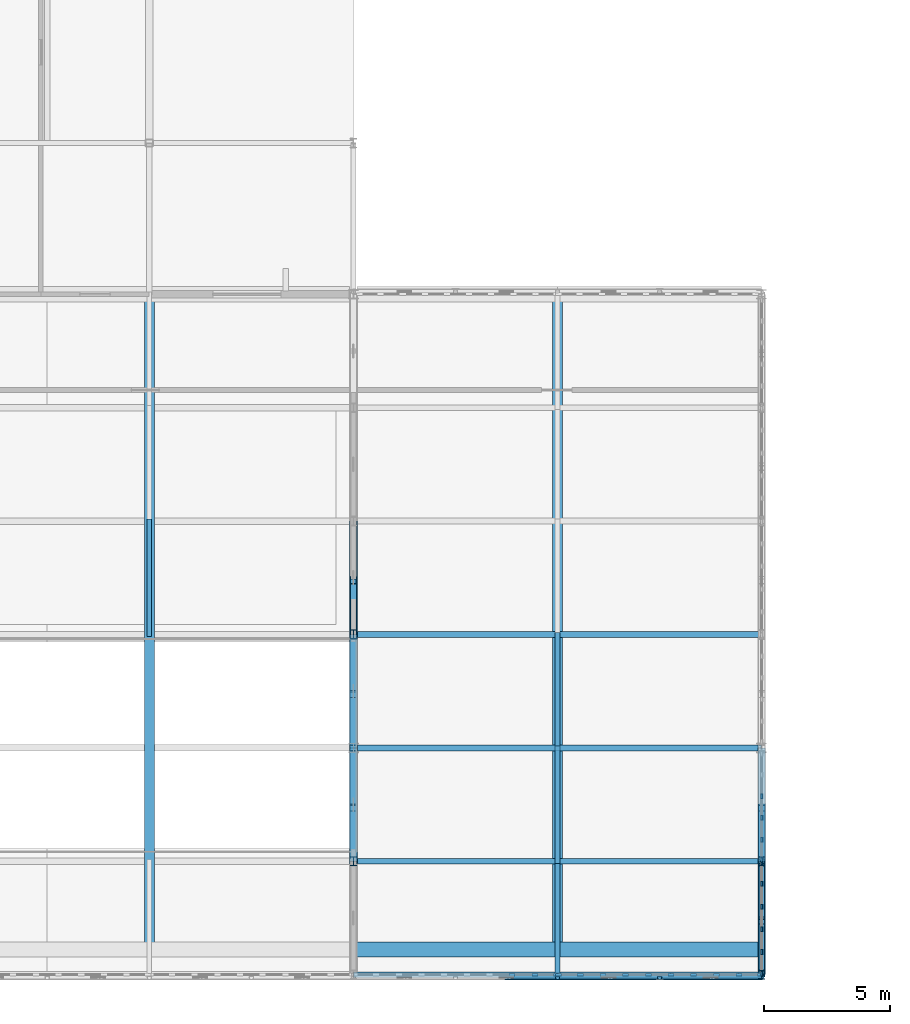
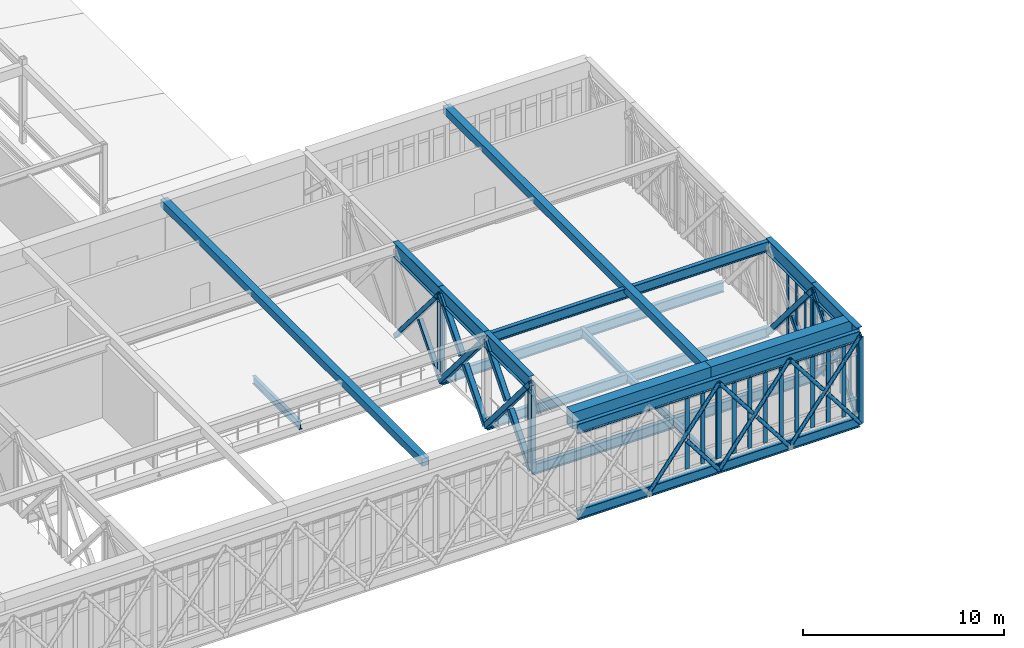
# One storey, part 16 of 70: 48 members, 19 beams, 4 elements without a shape of their own.
"""IFC4 building model written with IfcOpenShell, lengths in metres."""

from ifc_helpers import new_model, si_unit, direction, frame, origin, origin_2d, place, context, subcontext, project, spatial, rectangle, hollow_rectangle, hollow_circle, i_section, extrude, material, material_profile, profile_set, type_object, element, aggregate, save


model = new_model("IFC4")

# Units and contexts
model_context = context("Model", 3, precision=1e-05, world=origin(), true_north=direction((0.0, 1.0)))
body_context = subcontext(model_context, "Body", "Model", "MODEL_VIEW")
ifc_project = project(units=[si_unit("LENGTHUNIT", "METRE"), si_unit("AREAUNIT", "SQUARE_METRE"), si_unit("VOLUMEUNIT", "CUBIC_METRE"), si_unit("PLANEANGLEUNIT", "RADIAN"), si_unit("MASSUNIT", "GRAM", prefix="KILO")], contexts=[model_context])

# Site, building, storey
site_placement = place(None, origin())
site = spatial("IfcSite", under=ifc_project, at=site_placement, CompositionType="ELEMENT")
building_placement = place(site_placement, origin())
building = spatial("IfcBuilding", under=site, at=building_placement, Name="Tarnveldt Square Police Headquarters", CompositionType="ELEMENT")
storey_placement = place(building_placement, frame((0.0, 0.0, 19.800048828125)))
storey = spatial("IfcBuildingStorey", under=building, at=storey_placement, Name="L04", CompositionType="ELEMENT", Elevation=19.800048828125)

# Beams
ifc_material_1 = material(Name="Steel 350W", Category="steel")
ifc_material_profile_1 = material_profile(ifc_material_1, i_section(OverallWidth=0.305908203125, OverallDepth=0.9189453125, WebThickness=0.017333984375, FlangeThickness=0.02783203125, FilletRadius=0.02392578125, at=origin_2d()), Name="W920x253")
ifc_profile_set_1 = profile_set([ifc_material_profile_1], Name="Steel 350W")
beam_type_1 = type_object("IfcBeamType", Name="BM-CT-TOP", PredefinedType="BEAM", material=ifc_profile_set_1)
for number, where, z_axis, x_axis, name in (
    (1, (48.60009765625, 25.0, 4.640380859375), (0.0, -1.0, 0.0), (1.0, 0.0, 0.0), "Cantilever Truss CT-3 Top Chord 3"),
    (2, (48.60009765625, 20.5, 4.640380859375), (0.0, -1.0, 0.0), (1.0, 0.0, 0.0), "Cantilever Truss CT-3 Top Chord 4"),
    (3, (48.60009765625, 16.0, 4.640380859375), (0.0, -1.0, 0.0), (1.0, 0.0, 0.0), "Cantilever Truss CT-3 Top Chord 5"),
    (4, (64.800048828125, 16.0, 4.640380859375), (0.0, -1.0, 0.0), (1.0, 0.0, 0.0), "Cantilever Truss CT-4 Top Chord 5"),
    (5, (64.800048828125, 11.5, 4.640380859375), (0.0, -1.0, 0.0), (1.0, 0.0, 0.0), "Cantilever Truss CT-4 Top Chord 6"),
):
    element("IfcBeam", number, at=place(storey_placement, frame(where, z_axis=z_axis, x_axis=x_axis)), inside=storey, type_object=beam_type_1, Name=name, PredefinedType="BEAM", context=body_context, shape_type="SweptSolid", body=[
        extrude(i_section(OverallWidth=0.305908203125, OverallDepth=0.9189453125, WebThickness=0.017333984375, FlangeThickness=0.02783203125, FilletRadius=0.02392578125, at=origin_2d()), origin(), (0.0, 0.0, 1.0), 4.5),
    ])
ifc_material_2 = material(Name="Concrete 50 MPa", Category="concrete")
ifc_material_profile_2 = material_profile(ifc_material_2, rectangle(XDim=0.60009765625, YDim=1.0, at=origin_2d()), Name="RC-B600x1000")
ifc_profile_set_2 = profile_set([ifc_material_profile_2], Name="Concrete 50 MPa")
beam_type_2 = type_object("IfcBeamType", Name="BM-RC600x1000", PredefinedType="BEAM", material=ifc_profile_set_2)
beam_1_placement = place(storey_placement, frame((48.75, 8.0, 4.599853515625), z_axis=(1.0, 0.0, 0.0), x_axis=(0.0, 1.0, 0.0)))
element("IfcBeam", 6, at=beam_1_placement, inside=storey, type_object=beam_type_2, Name="Command and Control Room Springing Edge Ring Beam S6", PredefinedType="BEAM", context=body_context, shape_type="SweptSolid", body=[
    extrude(rectangle(XDim=0.60009765625, YDim=1.0, at=origin_2d()), origin(), (0.0, 0.0, 1.0), 7.949951171875),
])
beam_2_placement = place(storey_placement, frame((56.699951171875, 8.0, 4.599853515625), z_axis=(1.0, 0.0, 0.0), x_axis=(0.0, 1.0, 0.0)))
element("IfcBeam", 7, at=beam_2_placement, inside=storey, type_object=beam_type_2, Name="Command and Control Room Springing Edge Ring Beam S7", PredefinedType="BEAM", context=body_context, shape_type="SweptSolid", body=[
    extrude(rectangle(XDim=0.60009765625, YDim=1.0, at=origin_2d()), origin(), (0.0, 0.0, 1.0), 8.10009765625),
])
ifc_material_3 = material(Name="Concrete 40 MPa", Category="concrete")
ifc_material_profile_3 = material_profile(ifc_material_3, rectangle(XDim=0.39990234375, YDim=0.449951171875, at=origin_2d()), Name="RC-TIE400x450")
ifc_profile_set_3 = profile_set([ifc_material_profile_3], Name="Concrete 40 MPa")
beam_type_3 = type_object("IfcBeamType", Name="BM-TIE400x450", PredefinedType="USERDEFINED", material=ifc_profile_set_3)
for number, where, z_axis, x_axis, name in (
    (8, (40.5, 8.0, 4.849853515625), (0.0, 1.0, 0.0), (-1.0, 0.0, 0.0), "Command and Control Room Vault Springing Tie Beam 5"),
    (9, (56.699951171875, 8.0, 4.849853515625), (0.0, 1.0, 0.0), (-1.0, 0.0, 0.0), "Command and Control Room Vault Springing Tie Beam 7"),
):
    element("IfcBeam", number, at=place(storey_placement, frame(where, z_axis=z_axis, x_axis=x_axis)), inside=storey, type_object=beam_type_3, Name=name, ObjectType="TIE BEAM", PredefinedType="USERDEFINED", context=body_context, shape_type="SweptSolid", body=[
        extrude(rectangle(XDim=0.39990234375, YDim=0.449951171875, at=origin_2d()), origin(), (0.0, 0.0, 1.0), 26.0),
    ])
ifc_material_profile_4 = material_profile(ifc_material_1, i_section(OverallWidth=0.19189453125, OverallDepth=0.462890625, WebThickness=0.010498046875, FlangeThickness=0.017578125, FilletRadius=0.01806640625, at=origin_2d()), Name="W460x89")
ifc_profile_set_4 = profile_set([ifc_material_profile_4], Name="Steel 350W")
beam_type_4 = type_object("IfcBeamType", Name="BM-W460x89", PredefinedType="BEAM", material=ifc_profile_set_4)
for number, where, z_axis, x_axis, name in (
    (10, (40.5, 25.080078125, -0.491455078125), (0.0, -1.0, 0.0), (1.0, 0.0, 0.0), "Lantern L04 Secondary Beam 40.2"),
    (11, (56.699951171875, 20.580078125, -0.491455078125), (0.0, -1.0, 0.0), (1.0, 0.0, 0.0), "Lantern L04 Secondary Beam 56.3"),
    (12, (56.699951171875, 16.080078125, -0.491455078125), (0.0, -1.0, 0.0), (1.0, 0.0, 0.0), "Lantern L04 Secondary Beam 56.4"),
    (13, (56.699951171875, 11.580078125, -0.491455078125), (0.0, -1.0, 0.0), (1.0, 0.0, 0.0), "Lantern L04 Secondary Beam 56.5"),
):
    element("IfcBeam", number, at=place(storey_placement, frame(where, z_axis=z_axis, x_axis=x_axis)), inside=storey, type_object=beam_type_4, Name=name, PredefinedType="BEAM", context=body_context, shape_type="SweptSolid", body=[
        extrude(i_section(OverallWidth=0.19189453125, OverallDepth=0.462890625, WebThickness=0.010498046875, FlangeThickness=0.017578125, FilletRadius=0.01806640625, at=origin_2d()), origin(), (0.0, 0.0, 1.0), 4.66015625),
    ])
ifc_material_profile_5 = material_profile(ifc_material_1, i_section(OverallWidth=0.22900390625, OverallDepth=0.612060546875, WebThickness=0.011962890625, FlangeThickness=0.01953125, FilletRadius=0.01904296875, at=origin_2d()), Name="W610x125")
ifc_profile_set_5 = profile_set([ifc_material_profile_5], Name="Steel 350W")
beam_type_5 = type_object("IfcBeamType", Name="BM-W610x125", PredefinedType="BEAM", material=ifc_profile_set_5)
for number, where, z_axis, x_axis, name in (
    (14, (48.60009765625, 20.5, -0.566162109375), (1.0, 0.0, 0.0), (0.0, 1.0, 0.0), "Command Lantern L04 Transverse Girder 3.3"),
    (15, (48.60009765625, 16.0, -0.566162109375), (1.0, 0.0, 0.0), (0.0, 1.0, 0.0), "Command Lantern L04 Transverse Girder 3.4"),
    (16, (48.60009765625, 16.0, 4.640380859375), (1.0, 0.0, 0.0), (0.0, 1.0, 0.0), "Command Lantern Roof Ring Girder 3.4"),
    (17, (48.60009765625, 11.5, -0.566162109375), (1.0, 0.0, 0.0), (0.0, 1.0, 0.0), "Command Lantern L04 Transverse Girder 3.5"),
    (18, (48.60009765625, 7.0, -0.566162109375), (1.0, 0.0, 0.0), (0.0, 1.0, 0.0), "Command Lantern L04 Transverse Girder 3.6"),
    (19, (48.60009765625, 7.0, 4.640380859375), (1.0, 0.0, 0.0), (0.0, 1.0, 0.0), "Command Lantern Roof Ring Girder 3.6"),
):
    element("IfcBeam", number, at=place(storey_placement, frame(where, z_axis=z_axis, x_axis=x_axis)), inside=storey, type_object=beam_type_5, Name=name, PredefinedType="BEAM", context=body_context, shape_type="SweptSolid", body=[
        extrude(i_section(OverallWidth=0.22900390625, OverallDepth=0.612060546875, WebThickness=0.011962890625, FlangeThickness=0.01953125, FilletRadius=0.01904296875, at=origin_2d()), origin(), (0.0, 0.0, 1.0), 16.199951171875),
    ])

# Curtain wall, members
ifc_material_4 = material(Name="Triple-glazed low-e laminated vision glass", Category="glass")
curtain_wall_type_1 = type_object("IfcCurtainWallType", Name="CW-LT-450x395", PredefinedType="USERDEFINED", material=ifc_material_4)
curtain_wall_1_placement = place(storey_placement, origin())
curtain_wall_1 = element("IfcCurtainWall", 20, at=curtain_wall_1_placement, inside=storey, type_object=curtain_wall_type_1, Name="L04 Curtain Wall CW-L04-056", ObjectType="GLAZED CURTAIN WALL", PredefinedType="USERDEFINED")
ifc_material_5 = material(Name="Thermally broken anodised aluminium 6063-T6", Category="aluminium")
ifc_material_profile_6 = material_profile(ifc_material_5, rectangle(XDim=0.074951171875, YDim=0.199951171875, at=origin_2d()), Name="CW-M75x200")
ifc_profile_set_6 = profile_set([ifc_material_profile_6], Name="Thermally broken anodised aluminium 6063-T6")
member_type_1 = type_object("IfcMemberType", Name="CWM-75x200", PredefinedType="MULLION", material=ifc_profile_set_6)
member_1_placement = place(storey_placement, frame((64.800048828125, 7.03759765625, 0.0), z_axis=(0.0, 0.0, 1.0), x_axis=(-1.0, 0.0, 0.0)))
member_1 = element("IfcMember", 21, at=member_1_placement, type_object=member_type_1, Name="CW-LT20 mullion 1", PredefinedType="MULLION", context=body_context, shape_type="SweptSolid", body=[
    extrude(rectangle(XDim=0.074951171875, YDim=0.199951171875, at=origin_2d()), origin(), (0.0, 0.0, 1.0), 3.951904296875),
])
member_2_placement = place(storey_placement, frame((64.800048828125, 7.89990234375, 0.0), z_axis=(0.0, 0.0, 1.0), x_axis=(-1.0, 0.0, 0.0)))
member_2 = element("IfcMember", 22, at=member_2_placement, type_object=member_type_1, Name="CW-LT20 mullion 2", PredefinedType="MULLION", context=body_context, shape_type="SweptSolid", body=[
    extrude(rectangle(XDim=0.074951171875, YDim=0.199951171875, at=origin_2d()), origin(), (0.0, 0.0, 1.0), 3.951904296875),
])
member_3_placement = place(storey_placement, frame((64.800048828125, 8.800048828125, 0.0), z_axis=(0.0, 0.0, 1.0), x_axis=(-1.0, 0.0, 0.0)))
member_3 = element("IfcMember", 23, at=member_3_placement, type_object=member_type_1, Name="CW-LT20 mullion 3", PredefinedType="MULLION", context=body_context, shape_type="SweptSolid", body=[
    extrude(rectangle(XDim=0.074951171875, YDim=0.199951171875, at=origin_2d()), origin(), (0.0, 0.0, 1.0), 3.951904296875),
])
member_4_placement = place(storey_placement, frame((64.800048828125, 9.699951171875, 0.0), z_axis=(0.0, 0.0, 1.0), x_axis=(-1.0, 0.0, 0.0)))
member_4 = element("IfcMember", 24, at=member_4_placement, type_object=member_type_1, Name="CW-LT20 mullion 4", PredefinedType="MULLION", context=body_context, shape_type="SweptSolid", body=[
    extrude(rectangle(XDim=0.074951171875, YDim=0.199951171875, at=origin_2d()), origin(), (0.0, 0.0, 1.0), 3.951904296875),
])
member_5_placement = place(storey_placement, frame((64.800048828125, 10.60009765625, 0.0), z_axis=(0.0, 0.0, 1.0), x_axis=(-1.0, 0.0, 0.0)))
member_5 = element("IfcMember", 25, at=member_5_placement, type_object=member_type_1, Name="CW-LT20 mullion 5", PredefinedType="MULLION", context=body_context, shape_type="SweptSolid", body=[
    extrude(rectangle(XDim=0.074951171875, YDim=0.199951171875, at=origin_2d()), origin(), (0.0, 0.0, 1.0), 3.951904296875),
])
member_6_placement = place(storey_placement, frame((64.800048828125, 11.46240234375, 0.0), z_axis=(0.0, 0.0, 1.0), x_axis=(-1.0, 0.0, 0.0)))
member_6 = element("IfcMember", 26, at=member_6_placement, type_object=member_type_1, Name="CW-LT20 mullion 6", PredefinedType="MULLION", context=body_context, shape_type="SweptSolid", body=[
    extrude(rectangle(XDim=0.074951171875, YDim=0.199951171875, at=origin_2d()), origin(), (0.0, 0.0, 1.0), 3.951904296875),
])
aggregate(curtain_wall_1, [member_1, member_2, member_3, member_4, member_5, member_6])

curtain_wall_type_2 = type_object("IfcCurtainWallType", Name="CW-LT-430x417", PredefinedType="USERDEFINED", material=ifc_material_4)
curtain_wall_2_placement = place(storey_placement, origin())
curtain_wall_2 = element("IfcCurtainWall", 27, at=curtain_wall_2_placement, inside=storey, type_object=curtain_wall_type_2, Name="L04 Curtain Wall CW-L04-057", ObjectType="GLAZED CURTAIN WALL", PredefinedType="USERDEFINED")
member_7_placement = place(storey_placement, frame((64.800048828125, 11.53759765625, 0.0), z_axis=(0.0, 0.0, 1.0), x_axis=(-1.0, 0.0, 0.0)))
member_7 = element("IfcMember", 28, at=member_7_placement, type_object=member_type_1, Name="CW-LT21 mullion 1", PredefinedType="MULLION", context=body_context, shape_type="SweptSolid", body=[
    extrude(rectangle(XDim=0.074951171875, YDim=0.199951171875, at=origin_2d()), origin(), (0.0, 0.0, 1.0), 4.1728515625),
])
member_8_placement = place(storey_placement, frame((64.800048828125, 12.359619140625, 0.0), z_axis=(0.0, 0.0, 1.0), x_axis=(-1.0, 0.0, 0.0)))
member_8 = element("IfcMember", 29, at=member_8_placement, type_object=member_type_1, Name="CW-LT21 mullion 2", PredefinedType="MULLION", context=body_context, shape_type="SweptSolid", body=[
    extrude(rectangle(XDim=0.074951171875, YDim=0.199951171875, at=origin_2d()), origin(), (0.0, 0.0, 1.0), 4.1728515625),
])
member_9_placement = place(storey_placement, frame((64.800048828125, 13.21923828125, 0.0), z_axis=(0.0, 0.0, 1.0), x_axis=(-1.0, 0.0, 0.0)))
member_9 = element("IfcMember", 30, at=member_9_placement, type_object=member_type_1, Name="CW-LT21 mullion 3", PredefinedType="MULLION", context=body_context, shape_type="SweptSolid", body=[
    extrude(rectangle(XDim=0.074951171875, YDim=0.199951171875, at=origin_2d()), origin(), (0.0, 0.0, 1.0), 4.1728515625),
])
member_10_placement = place(storey_placement, frame((64.800048828125, 14.078857421875, 0.0), z_axis=(0.0, 0.0, 1.0), x_axis=(-1.0, 0.0, 0.0)))
member_10 = element("IfcMember", 31, at=member_10_placement, type_object=member_type_1, Name="CW-LT21 mullion 4", PredefinedType="MULLION", context=body_context, shape_type="SweptSolid", body=[
    extrude(rectangle(XDim=0.074951171875, YDim=0.199951171875, at=origin_2d()), origin(), (0.0, 0.0, 1.0), 4.1728515625),
])
aggregate(curtain_wall_2, [member_7, member_8, member_9, member_10])

ifc_material_6 = material(Name="UL 752 Level III laminated ballistic vision glass", Category="glass")
curtain_wall_type_3 = type_object("IfcCurtainWallType", Name="CW-BL-810x433", PredefinedType="USERDEFINED", material=ifc_material_6)
curtain_wall_3_placement = place(storey_placement, origin())
curtain_wall_3 = element("IfcCurtainWall", 32, at=curtain_wall_3_placement, inside=storey, type_object=curtain_wall_type_3, Name="L04 Curtain Wall CW-L04-045", ObjectType="BALLISTIC CURTAIN WALL", PredefinedType="USERDEFINED")
ifc_material_profile_7 = material_profile(ifc_material_5, rectangle(XDim=0.0849609375, YDim=0.239990234375, at=origin_2d()), Name="CW-M85x240")
ifc_profile_set_7 = profile_set([ifc_material_profile_7], Name="Thermally broken anodised aluminium 6063-T6")
member_type_2 = type_object("IfcMemberType", Name="CWM-85x240", PredefinedType="MULLION", material=ifc_profile_set_7)
member_11_placement = place(storey_placement, frame((54.89990234375, 7.0, 0.0), z_axis=(0.0, 0.0, 1.0), x_axis=(0.0, 1.0, 0.0)))
member_11 = element("IfcMember", 33, at=member_11_placement, type_object=member_type_2, Name="CW-BL17 mullion 8", PredefinedType="MULLION", context=body_context, shape_type="SweptSolid", body=[
    extrude(rectangle(XDim=0.0849609375, YDim=0.239990234375, at=origin_2d()), origin(), (0.0, 0.0, 1.0), 4.326416015625),
])
member_12_placement = place(storey_placement, frame((55.800048828125, 7.0, 0.0), z_axis=(0.0, 0.0, 1.0), x_axis=(0.0, 1.0, 0.0)))
member_12 = element("IfcMember", 34, at=member_12_placement, type_object=member_type_2, Name="CW-BL17 mullion 9", PredefinedType="MULLION", context=body_context, shape_type="SweptSolid", body=[
    extrude(rectangle(XDim=0.0849609375, YDim=0.239990234375, at=origin_2d()), origin(), (0.0, 0.0, 1.0), 4.326416015625),
])
member_13_placement = place(storey_placement, frame((56.657470703125, 7.0, 0.0), z_axis=(0.0, 0.0, 1.0), x_axis=(0.0, 1.0, 0.0)))
member_13 = element("IfcMember", 35, at=member_13_placement, type_object=member_type_2, Name="CW-BL17 mullion 10", PredefinedType="MULLION", context=body_context, shape_type="SweptSolid", body=[
    extrude(rectangle(XDim=0.0849609375, YDim=0.239990234375, at=origin_2d()), origin(), (0.0, 0.0, 1.0), 4.326416015625),
])
aggregate(curtain_wall_3, [member_11, member_12, member_13])

curtain_wall_4_placement = place(storey_placement, origin())
curtain_wall_4 = element("IfcCurtainWall", 36, at=curtain_wall_4_placement, inside=storey, type_object=curtain_wall_type_3, Name="L04 Curtain Wall CW-L04-046", ObjectType="BALLISTIC CURTAIN WALL", PredefinedType="USERDEFINED")
member_14_placement = place(storey_placement, frame((56.742431640625, 7.0, 0.0), z_axis=(0.0, 0.0, 1.0), x_axis=(0.0, 1.0, 0.0)))
member_14 = element("IfcMember", 37, at=member_14_placement, type_object=member_type_2, Name="CW-BL17 mullion 1", PredefinedType="MULLION", context=body_context, shape_type="SweptSolid", body=[
    extrude(rectangle(XDim=0.0849609375, YDim=0.239990234375, at=origin_2d()), origin(), (0.0, 0.0, 1.0), 4.326416015625),
])
member_15_placement = place(storey_placement, frame((57.60009765625, 7.0, 0.0), z_axis=(0.0, 0.0, 1.0), x_axis=(0.0, 1.0, 0.0)))
member_15 = element("IfcMember", 38, at=member_15_placement, type_object=member_type_2, Name="CW-BL17 mullion 2", PredefinedType="MULLION", context=body_context, shape_type="SweptSolid", body=[
    extrude(rectangle(XDim=0.0849609375, YDim=0.239990234375, at=origin_2d()), origin(), (0.0, 0.0, 1.0), 4.326416015625),
])
member_16_placement = place(storey_placement, frame((58.5, 7.0, 0.0), z_axis=(0.0, 0.0, 1.0), x_axis=(0.0, 1.0, 0.0)))
member_16 = element("IfcMember", 39, at=member_16_placement, type_object=member_type_2, Name="CW-BL17 mullion 3", PredefinedType="MULLION", context=body_context, shape_type="SweptSolid", body=[
    extrude(rectangle(XDim=0.0849609375, YDim=0.239990234375, at=origin_2d()), origin(), (0.0, 0.0, 1.0), 4.326416015625),
])
member_17_placement = place(storey_placement, frame((59.39990234375, 7.0, 0.0), z_axis=(0.0, 0.0, 1.0), x_axis=(0.0, 1.0, 0.0)))
member_17 = element("IfcMember", 40, at=member_17_placement, type_object=member_type_2, Name="CW-BL17 mullion 4", PredefinedType="MULLION", context=body_context, shape_type="SweptSolid", body=[
    extrude(rectangle(XDim=0.0849609375, YDim=0.239990234375, at=origin_2d()), origin(), (0.0, 0.0, 1.0), 4.326416015625),
])
member_18_placement = place(storey_placement, frame((60.300048828125, 7.0, 0.0), z_axis=(0.0, 0.0, 1.0), x_axis=(0.0, 1.0, 0.0)))
member_18 = element("IfcMember", 41, at=member_18_placement, type_object=member_type_2, Name="CW-BL17 mullion 5", PredefinedType="MULLION", context=body_context, shape_type="SweptSolid", body=[
    extrude(rectangle(XDim=0.0849609375, YDim=0.239990234375, at=origin_2d()), origin(), (0.0, 0.0, 1.0), 4.326416015625),
])
member_19_placement = place(storey_placement, frame((61.199951171875, 7.0, 0.0), z_axis=(0.0, 0.0, 1.0), x_axis=(0.0, 1.0, 0.0)))
member_19 = element("IfcMember", 42, at=member_19_placement, type_object=member_type_2, Name="CW-BL17 mullion 6", PredefinedType="MULLION", context=body_context, shape_type="SweptSolid", body=[
    extrude(rectangle(XDim=0.0849609375, YDim=0.239990234375, at=origin_2d()), origin(), (0.0, 0.0, 1.0), 4.326416015625),
])
member_20_placement = place(storey_placement, frame((62.10009765625, 7.0, 0.0), z_axis=(0.0, 0.0, 1.0), x_axis=(0.0, 1.0, 0.0)))
member_20 = element("IfcMember", 43, at=member_20_placement, type_object=member_type_2, Name="CW-BL17 mullion 7", PredefinedType="MULLION", context=body_context, shape_type="SweptSolid", body=[
    extrude(rectangle(XDim=0.0849609375, YDim=0.239990234375, at=origin_2d()), origin(), (0.0, 0.0, 1.0), 4.326416015625),
])
member_21_placement = place(storey_placement, frame((63.0, 7.0, 0.0), z_axis=(0.0, 0.0, 1.0), x_axis=(0.0, 1.0, 0.0)))
member_21 = element("IfcMember", 44, at=member_21_placement, type_object=member_type_2, Name="CW-BL17 mullion 8", PredefinedType="MULLION", context=body_context, shape_type="SweptSolid", body=[
    extrude(rectangle(XDim=0.0849609375, YDim=0.239990234375, at=origin_2d()), origin(), (0.0, 0.0, 1.0), 4.326416015625),
])
member_22_placement = place(storey_placement, frame((63.89990234375, 7.0, 0.0), z_axis=(0.0, 0.0, 1.0), x_axis=(0.0, 1.0, 0.0)))
member_22 = element("IfcMember", 45, at=member_22_placement, type_object=member_type_2, Name="CW-BL17 mullion 9", PredefinedType="MULLION", context=body_context, shape_type="SweptSolid", body=[
    extrude(rectangle(XDim=0.0849609375, YDim=0.239990234375, at=origin_2d()), origin(), (0.0, 0.0, 1.0), 4.326416015625),
])
member_23_placement = place(storey_placement, frame((64.757568359375, 7.0, 0.0), z_axis=(0.0, 0.0, 1.0), x_axis=(0.0, 1.0, 0.0)))
member_23 = element("IfcMember", 46, at=member_23_placement, type_object=member_type_2, Name="CW-BL17 mullion 10", PredefinedType="MULLION", context=body_context, shape_type="SweptSolid", body=[
    extrude(rectangle(XDim=0.0849609375, YDim=0.239990234375, at=origin_2d()), origin(), (0.0, 0.0, 1.0), 4.326416015625),
])
aggregate(curtain_wall_4, [member_14, member_15, member_16, member_17, member_18, member_19, member_20, member_21, member_22, member_23])

# Members
ifc_material_profile_8 = material_profile(ifc_material_1, i_section(OverallWidth=0.257080078125, OverallDepth=0.363037109375, WebThickness=0.012939453125, FlangeThickness=0.021728515625, FilletRadius=0.01611328125, at=origin_2d()), Name="W360x122")
ifc_profile_set_8 = profile_set([ifc_material_profile_8], Name="Steel 350W")
member_type_3 = type_object("IfcMemberType", Name="MEM-CT-POST", PredefinedType="STRUT", material=ifc_profile_set_8)
for number, where, z_axis, x_axis, name in (
    (47, (48.60009765625, 20.5, -0.64306640625), (0.0, 0.0, 1.0), (1.0, 0.0, 0.0), "Cantilever Truss CT-3 L04 Post 4"),
    (48, (48.60009765625, 11.5, -0.64306640625), (0.0, 0.0, 1.0), (1.0, 0.0, 0.0), "Cantilever Truss CT-3 L04 Post 6"),
    (49, (64.800048828125, 11.5, -0.64306640625), (0.0, 0.0, 1.0), (1.0, 0.0, 0.0), "Cantilever Truss CT-4 L04 Post 6"),
    (50, (64.800048828125, 7.0, -0.64306640625), (0.0, 0.0, 1.0), (1.0, 0.0, 0.0), "Cantilever Truss CT-4 L04 Post 7"),
):
    element("IfcMember", number, at=place(storey_placement, frame(where, z_axis=z_axis, x_axis=x_axis)), inside=storey, type_object=member_type_3, Name=name, PredefinedType="STRUT", context=body_context, shape_type="SweptSolid", body=[
        extrude(i_section(OverallWidth=0.257080078125, OverallDepth=0.363037109375, WebThickness=0.012939453125, FlangeThickness=0.021728515625, FilletRadius=0.01611328125, at=origin_2d()), origin(), (0.0, 0.0, 1.0), 5.283447265625),
    ])
ifc_material_profile_9 = material_profile(ifc_material_1, hollow_rectangle(XDim=0.3046875, YDim=0.3046875, WallThickness=0.015869140625, InnerFilletRadius=0.015869140625, OuterFilletRadius=0.03173828125, at=origin_2d()), Name="HSS305x305x16")
ifc_profile_set_9 = profile_set([ifc_material_profile_9], Name="Steel 350W")
member_type_4 = type_object("IfcMemberType", Name="MEM-CT-WEB1", PredefinedType="BRACE", material=ifc_profile_set_9)
member_24_placement = place(storey_placement, frame((48.60009765625, 20.5, -0.64306640625), z_axis=(0.0, -0.648406807061, 0.761294038173), x_axis=(1.0, 0.0, 0.0)))
element("IfcMember", 51, at=member_24_placement, inside=storey, type_object=member_type_4, Name="Cantilever Truss CT-3 L04 Web A4", PredefinedType="BRACE", context=body_context, shape_type="SweptSolid", body=[
    extrude(hollow_rectangle(XDim=0.3046875, YDim=0.3046875, WallThickness=0.015869140625, InnerFilletRadius=0.015869140625, OuterFilletRadius=0.03173828125, at=origin_2d()), origin(), (0.0, 0.0, 1.0), 6.940185546875),
])
member_25_placement = place(storey_placement, frame((48.60009765625, 16.0, -0.64306640625), z_axis=(0.0, 0.648400353561, 0.761299534678), x_axis=(-1.0, 0.0, 0.0)))
element("IfcMember", 52, at=member_25_placement, inside=storey, type_object=member_type_4, Name="Cantilever Truss CT-3 L04 Web B4 Lower", PredefinedType="BRACE", context=body_context, shape_type="SweptSolid", body=[
    extrude(hollow_rectangle(XDim=0.3046875, YDim=0.3046875, WallThickness=0.015869140625, InnerFilletRadius=0.015869140625, OuterFilletRadius=0.03173828125, at=origin_2d()), origin(), (0.0, 0.0, 1.0), 3.250244140625),
])
member_26_placement = place(storey_placement, frame((48.60009765625, 18.392578125, 2.166259765625), z_axis=(0.0, 0.648437434135, 0.761267951521), x_axis=(-1.0, 0.0, 0.0)))
element("IfcMember", 53, at=member_26_placement, inside=storey, type_object=member_type_4, Name="Cantilever Truss CT-3 L04 Web B4 Upper", PredefinedType="BRACE", context=body_context, shape_type="SweptSolid", body=[
    extrude(hollow_rectangle(XDim=0.3046875, YDim=0.3046875, WallThickness=0.015869140625, InnerFilletRadius=0.015869140625, OuterFilletRadius=0.03173828125, at=origin_2d()), origin(), (0.0, 0.0, 1.0), 3.25),
])
member_27_placement = place(storey_placement, frame((48.60009765625, 16.0, -0.64306640625), z_axis=(0.0, -0.648406807061, 0.761294038173), x_axis=(1.0, 0.0, 0.0)))
element("IfcMember", 54, at=member_27_placement, inside=storey, type_object=member_type_4, Name="Cantilever Truss CT-3 L04 Web A5", PredefinedType="BRACE", context=body_context, shape_type="SweptSolid", body=[
    extrude(hollow_rectangle(XDim=0.3046875, YDim=0.3046875, WallThickness=0.015869140625, InnerFilletRadius=0.015869140625, OuterFilletRadius=0.03173828125, at=origin_2d()), origin(), (0.0, 0.0, 1.0), 6.940185546875),
])
member_28_placement = place(storey_placement, frame((48.60009765625, 11.5, -0.64306640625), z_axis=(0.0, 0.648400353561, 0.761299534678), x_axis=(-1.0, 0.0, 0.0)))
element("IfcMember", 55, at=member_28_placement, inside=storey, type_object=member_type_4, Name="Cantilever Truss CT-3 L04 Web B5 Lower", PredefinedType="BRACE", context=body_context, shape_type="SweptSolid", body=[
    extrude(hollow_rectangle(XDim=0.3046875, YDim=0.3046875, WallThickness=0.015869140625, InnerFilletRadius=0.015869140625, OuterFilletRadius=0.03173828125, at=origin_2d()), origin(), (0.0, 0.0, 1.0), 3.250244140625),
])
member_29_placement = place(storey_placement, frame((48.60009765625, 13.892578125, 2.166259765625), z_axis=(0.0, 0.648437434135, 0.761267951521), x_axis=(-1.0, 0.0, 0.0)))
element("IfcMember", 56, at=member_29_placement, inside=storey, type_object=member_type_4, Name="Cantilever Truss CT-3 L04 Web B5 Upper", PredefinedType="BRACE", context=body_context, shape_type="SweptSolid", body=[
    extrude(hollow_rectangle(XDim=0.3046875, YDim=0.3046875, WallThickness=0.015869140625, InnerFilletRadius=0.015869140625, OuterFilletRadius=0.03173828125, at=origin_2d()), origin(), (0.0, 0.0, 1.0), 3.25),
])
member_30_placement = place(storey_placement, frame((64.800048828125, 16.0, -0.64306640625), z_axis=(0.0, -0.648406807061, 0.761294038173), x_axis=(1.0, 0.0, 0.0)))
element("IfcMember", 57, at=member_30_placement, inside=storey, type_object=member_type_4, Name="Cantilever Truss CT-4 L04 Web A5", PredefinedType="BRACE", context=body_context, shape_type="SweptSolid", body=[
    extrude(hollow_rectangle(XDim=0.3046875, YDim=0.3046875, WallThickness=0.015869140625, InnerFilletRadius=0.015869140625, OuterFilletRadius=0.03173828125, at=origin_2d()), origin(), (0.0, 0.0, 1.0), 6.940185546875),
])
member_31_placement = place(storey_placement, frame((64.800048828125, 11.5, -0.64306640625), z_axis=(0.0, 0.648400353561, 0.761299534678), x_axis=(-1.0, 0.0, 0.0)))
element("IfcMember", 58, at=member_31_placement, inside=storey, type_object=member_type_4, Name="Cantilever Truss CT-4 L04 Web B5 Lower", PredefinedType="BRACE", context=body_context, shape_type="SweptSolid", body=[
    extrude(hollow_rectangle(XDim=0.3046875, YDim=0.3046875, WallThickness=0.015869140625, InnerFilletRadius=0.015869140625, OuterFilletRadius=0.03173828125, at=origin_2d()), origin(), (0.0, 0.0, 1.0), 3.250244140625),
])
ifc_material_profile_10 = material_profile(ifc_material_1, hollow_rectangle(XDim=0.25390625, YDim=0.25390625, WallThickness=0.0126953125, InnerFilletRadius=0.0126953125, OuterFilletRadius=0.025390625, at=origin_2d()), Name="HSS254x254x13")
ifc_profile_set_10 = profile_set([ifc_material_profile_10], Name="Steel 350W")
member_type_5 = type_object("IfcMemberType", Name="MEM-CT-WEB2", PredefinedType="BRACE", material=ifc_profile_set_10)
member_32_placement = place(storey_placement, frame((48.60009765625, 25.0, -0.64306640625), z_axis=(0.0, -0.648406807061, 0.761294038173), x_axis=(1.0, 0.0, 0.0)))
element("IfcMember", 59, at=member_32_placement, inside=storey, type_object=member_type_5, Name="Cantilever Truss CT-3 L04 Web A3", PredefinedType="BRACE", context=body_context, shape_type="SweptSolid", body=[
    extrude(hollow_rectangle(XDim=0.25390625, YDim=0.25390625, WallThickness=0.0126953125, InnerFilletRadius=0.0126953125, OuterFilletRadius=0.025390625, at=origin_2d()), origin(), (0.0, 0.0, 1.0), 6.940185546875),
])
member_33_placement = place(storey_placement, frame((48.60009765625, 20.5, -0.64306640625), z_axis=(0.0, 0.648400353561, 0.761299534678), x_axis=(-1.0, 0.0, 0.0)))
element("IfcMember", 60, at=member_33_placement, inside=storey, type_object=member_type_5, Name="Cantilever Truss CT-3 L04 Web B3 Lower", PredefinedType="BRACE", context=body_context, shape_type="SweptSolid", body=[
    extrude(hollow_rectangle(XDim=0.25390625, YDim=0.25390625, WallThickness=0.0126953125, InnerFilletRadius=0.0126953125, OuterFilletRadius=0.025390625, at=origin_2d()), origin(), (0.0, 0.0, 1.0), 3.250244140625),
])
member_34_placement = place(storey_placement, frame((64.800048828125, 11.5, -0.64306640625), z_axis=(0.0, -0.648406807061, 0.761294038173), x_axis=(1.0, 0.0, 0.0)))
element("IfcMember", 61, at=member_34_placement, inside=storey, type_object=member_type_5, Name="Cantilever Truss CT-4 L04 Web A6", PredefinedType="BRACE", context=body_context, shape_type="SweptSolid", body=[
    extrude(hollow_rectangle(XDim=0.25390625, YDim=0.25390625, WallThickness=0.0126953125, InnerFilletRadius=0.0126953125, OuterFilletRadius=0.025390625, at=origin_2d()), origin(), (0.0, 0.0, 1.0), 6.940185546875),
])
member_35_placement = place(storey_placement, frame((64.800048828125, 7.0, -0.64306640625), z_axis=(0.0, 0.648400353561, 0.761299534678), x_axis=(-1.0, 0.0, 0.0)))
element("IfcMember", 62, at=member_35_placement, inside=storey, type_object=member_type_5, Name="Cantilever Truss CT-4 L04 Web B6 Lower", PredefinedType="BRACE", context=body_context, shape_type="SweptSolid", body=[
    extrude(hollow_rectangle(XDim=0.25390625, YDim=0.25390625, WallThickness=0.0126953125, InnerFilletRadius=0.0126953125, OuterFilletRadius=0.025390625, at=origin_2d()), origin(), (0.0, 0.0, 1.0), 3.250244140625),
])
member_36_placement = place(storey_placement, frame((64.800048828125, 9.392578125, 2.166259765625), z_axis=(0.0, 0.648437434135, 0.761267951521), x_axis=(-1.0, 0.0, 0.0)))
element("IfcMember", 63, at=member_36_placement, inside=storey, type_object=member_type_5, Name="Cantilever Truss CT-4 L04 Web B6 Upper", PredefinedType="BRACE", context=body_context, shape_type="SweptSolid", body=[
    extrude(hollow_rectangle(XDim=0.25390625, YDim=0.25390625, WallThickness=0.0126953125, InnerFilletRadius=0.0126953125, OuterFilletRadius=0.025390625, at=origin_2d()), origin(), (0.0, 0.0, 1.0), 3.25),
])
ifc_material_profile_11 = material_profile(ifc_material_1, hollow_circle(Radius=0.109619140625, WallThickness=0.010986328125, at=origin_2d()), Name="HSS219x11")
ifc_profile_set_11 = profile_set([ifc_material_profile_11], Name="Steel 350W")
member_type_6 = type_object("IfcMemberType", Name="MEM-LT-DIAG2", PredefinedType="BRACE", material=ifc_profile_set_11)
member_37_placement = place(storey_placement, frame((52.64990234375, 6.89990234375, -0.64306640625), z_axis=(0.608375338642, 0.0, 0.793649448644), x_axis=(0.0, 1.0, 0.0)))
element("IfcMember", 64, at=member_37_placement, inside=storey, type_object=member_type_6, Name="Command Lantern S Steel Lattice Brace 6.2A", PredefinedType="BRACE", context=body_context, shape_type="SweptSolid", body=[
    extrude(hollow_circle(Radius=0.109619140625, WallThickness=0.010986328125, at=origin_2d()), origin(), (0.0, 0.0, 1.0), 6.6572265625),
])
member_38_placement = place(storey_placement, frame((56.699951171875, 6.89990234375, -0.64306640625), z_axis=(-0.608344715413, 0.0, 0.793672922071), x_axis=(0.0, -1.0, 0.0)))
element("IfcMember", 65, at=member_38_placement, inside=storey, type_object=member_type_6, Name="Command Lantern S Steel Lattice Brace 6.2B Lower", PredefinedType="BRACE", context=body_context, shape_type="SweptSolid", body=[
    extrude(hollow_circle(Radius=0.109619140625, WallThickness=0.010986328125, at=origin_2d()), origin(), (0.0, 0.0, 1.0), 3.128662109375),
])
member_39_placement = place(storey_placement, frame((56.699951171875, 6.89990234375, -0.64306640625), z_axis=(0.608375338642, 0.0, 0.793649448644), x_axis=(0.0, 1.0, 0.0)))
element("IfcMember", 66, at=member_39_placement, inside=storey, type_object=member_type_6, Name="Command Lantern S Steel Lattice Brace 7.1A", PredefinedType="BRACE", context=body_context, shape_type="SweptSolid", body=[
    extrude(hollow_circle(Radius=0.109619140625, WallThickness=0.010986328125, at=origin_2d()), origin(), (0.0, 0.0, 1.0), 6.6572265625),
])
member_40_placement = place(storey_placement, frame((60.75, 6.89990234375, -0.64306640625), z_axis=(-0.608344715413, 0.0, 0.793672922071), x_axis=(0.0, -1.0, 0.0)))
element("IfcMember", 67, at=member_40_placement, inside=storey, type_object=member_type_6, Name="Command Lantern S Steel Lattice Brace 7.1B Lower", PredefinedType="BRACE", context=body_context, shape_type="SweptSolid", body=[
    extrude(hollow_circle(Radius=0.109619140625, WallThickness=0.010986328125, at=origin_2d()), origin(), (0.0, 0.0, 1.0), 3.128662109375),
])
member_41_placement = place(storey_placement, frame((58.603271484375, 6.89990234375, 2.157470703125), z_axis=(-0.608382393445, 0.0, 0.793644040705), x_axis=(0.0, -1.0, 0.0)))
element("IfcMember", 68, at=member_41_placement, inside=storey, type_object=member_type_6, Name="Command Lantern S Steel Lattice Brace 7.1B Upper", PredefinedType="BRACE", context=body_context, shape_type="SweptSolid", body=[
    extrude(hollow_circle(Radius=0.109619140625, WallThickness=0.010986328125, at=origin_2d()), origin(), (0.0, 0.0, 1.0), 3.12841796875),
])
member_42_placement = place(storey_placement, frame((60.75, 6.89990234375, -0.64306640625), z_axis=(0.608375338642, 0.0, 0.793649448644), x_axis=(0.0, 1.0, 0.0)))
element("IfcMember", 69, at=member_42_placement, inside=storey, type_object=member_type_6, Name="Command Lantern S Steel Lattice Brace 7.2A", PredefinedType="BRACE", context=body_context, shape_type="SweptSolid", body=[
    extrude(hollow_circle(Radius=0.109619140625, WallThickness=0.010986328125, at=origin_2d()), origin(), (0.0, 0.0, 1.0), 6.6572265625),
])
member_43_placement = place(storey_placement, frame((64.800048828125, 6.89990234375, -0.64306640625), z_axis=(-0.608344715413, 0.0, 0.793672922071), x_axis=(0.0, -1.0, 0.0)))
element("IfcMember", 70, at=member_43_placement, inside=storey, type_object=member_type_6, Name="Command Lantern S Steel Lattice Brace 7.2B Lower", PredefinedType="BRACE", context=body_context, shape_type="SweptSolid", body=[
    extrude(hollow_circle(Radius=0.109619140625, WallThickness=0.010986328125, at=origin_2d()), origin(), (0.0, 0.0, 1.0), 3.128662109375),
])
member_44_placement = place(storey_placement, frame((62.6533203125, 6.89990234375, 2.157470703125), z_axis=(-0.608382393445, 0.0, 0.793644040705), x_axis=(0.0, -1.0, 0.0)))
element("IfcMember", 71, at=member_44_placement, inside=storey, type_object=member_type_6, Name="Command Lantern S Steel Lattice Brace 7.2B Upper", PredefinedType="BRACE", context=body_context, shape_type="SweptSolid", body=[
    extrude(hollow_circle(Radius=0.109619140625, WallThickness=0.010986328125, at=origin_2d()), origin(), (0.0, 0.0, 1.0), 3.12841796875),
])

save(model, "model.ifc")
